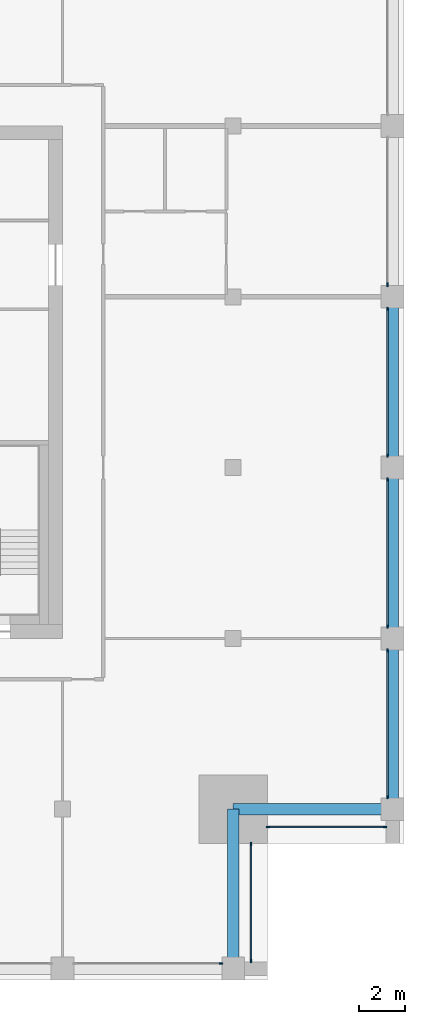
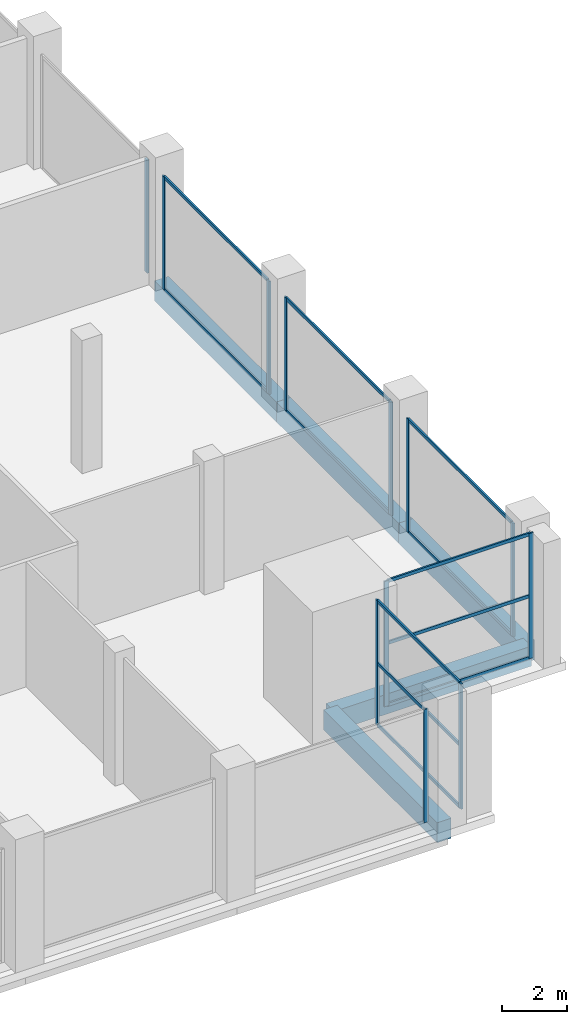
# One storey, part 4 of 15: 24 members, 5 beams, 7 elements without a shape of their own.
"""IFC4 building model written with IfcOpenShell, lengths in metres."""

from ifc_helpers import new_model, si_unit, direction, frame, origin, origin_2d, place, context, subcontext, project, spatial, rectangle, extrude, material, layer, layer_set, material_profile, profile_set, type_object, element, aggregate, save


model = new_model("IFC4")

# Units and contexts
model_context = context("Model", 3, precision=1e-05, world=origin(), true_north=direction((0.0, 1.0)))
body_context = subcontext(model_context, "Body", "Model", "MODEL_VIEW")
ifc_project = project(units=[si_unit("LENGTHUNIT", "METRE"), si_unit("AREAUNIT", "SQUARE_METRE"), si_unit("VOLUMEUNIT", "CUBIC_METRE"), si_unit("PLANEANGLEUNIT", "RADIAN"), si_unit("MASSUNIT", "GRAM", prefix="KILO")], contexts=[model_context])

# Site, building, storey
site_placement = place(None, origin())
site = spatial("IfcSite", under=ifc_project, at=site_placement, CompositionType="ELEMENT")
building_placement = place(site_placement, origin())
building = spatial("IfcBuilding", under=site, at=building_placement, Name="Tamorin Gate", CompositionType="ELEMENT")
storey_placement = place(building_placement, frame((0.0, 0.0, 287.199951171875)))
storey = spatial("IfcBuildingStorey", under=building, at=storey_placement, Name="L72", CompositionType="ELEMENT", Elevation=287.199951171875)

# Curtain wall, member
ifc_material_1 = material(Name="Aluminium mullions and transoms with clear glass", Category="aluminium")
ifc_layer = layer(ifc_material_1, 0.159912109375)
ifc_layer_set = layer_set([ifc_layer], Name="Curtain wall system CW2")
curtain_wall_type = type_object("IfcCurtainWallType", Name="Curtain wall system CW2", PredefinedType="NOTDEFINED", material=ifc_layer_set)
curtain_wall_1_placement = place(storey_placement, origin())
curtain_wall_1 = element("IfcCurtainWall", 1, at=curtain_wall_1_placement, inside=storey, type_object=curtain_wall_type, Name="Curtain wall", PredefinedType="NOTDEFINED")
ifc_material_2 = material(Name="Aluminium", Category="aluminium")
ifc_material_profile_1 = material_profile(ifc_material_2, rectangle(XDim=0.06005859375, YDim=0.159912109375, at=origin_2d()), Name="RECT 60x160")
ifc_profile_set_1 = profile_set([ifc_material_profile_1], Name="Aluminium")
member_type_1 = type_object("IfcMemberType", Name="Aluminium mullion 60x160", PredefinedType="MULLION", material=ifc_profile_set_1)
member_1_placement = place(storey_placement, frame((66.969970703125, 45.719970703125, 0.0), z_axis=(0.0, 0.0, 1.0), x_axis=(0.0, 1.0, 0.0)))
member_1 = element("IfcMember", 2, at=member_1_placement, type_object=member_type_1, Name="CW2 mullion 2", PredefinedType="MULLION", context=body_context, shape_type="SweptSolid", body=[
    extrude(rectangle(XDim=0.06005859375, YDim=0.159912109375, at=origin_2d()), origin(), (0.0, 0.0, 1.0), 4.25),
])
aggregate(curtain_wall_1, [member_1])

# Curtain wall, members
curtain_wall_2_placement = place(storey_placement, origin())
curtain_wall_2 = element("IfcCurtainWall", 3, at=curtain_wall_2_placement, inside=storey, type_object=curtain_wall_type, Name="Curtain wall", PredefinedType="NOTDEFINED")
member_2_placement = place(storey_placement, frame((68.280029296875, 45.830078125, 0.0), z_axis=(0.0, 0.0, 1.0), x_axis=(-1.0, 0.0, 0.0)))
member_2 = element("IfcMember", 4, at=member_2_placement, type_object=member_type_1, Name="CW2 mullion 1", PredefinedType="MULLION", context=body_context, shape_type="SweptSolid", body=[
    extrude(rectangle(XDim=0.06005859375, YDim=0.159912109375, at=origin_2d()), origin(), (0.0, 0.0, 1.0), 4.699951171875),
])
member_3_placement = place(storey_placement, frame((68.280029296875, 50.969970703125, 0.0), z_axis=(0.0, 0.0, 1.0), x_axis=(-1.0, 0.0, 0.0)))
member_3 = element("IfcMember", 5, at=member_3_placement, type_object=member_type_1, Name="CW2 mullion 2", PredefinedType="MULLION", context=body_context, shape_type="SweptSolid", body=[
    extrude(rectangle(XDim=0.06005859375, YDim=0.159912109375, at=origin_2d()), origin(), (0.0, 0.0, 1.0), 4.699951171875),
])

curtain_wall_3_placement = place(storey_placement, origin())
curtain_wall_3 = element("IfcCurtainWall", 6, at=curtain_wall_3_placement, inside=storey, type_object=curtain_wall_type, Name="Curtain wall", PredefinedType="NOTDEFINED")
member_4_placement = place(storey_placement, frame((69.030029296875, 51.719970703125, 0.0), z_axis=(0.0, 0.0, 1.0), x_axis=(0.0, 1.0, 0.0)))
member_4 = element("IfcMember", 7, at=member_4_placement, type_object=member_type_1, Name="CW2 mullion 1", PredefinedType="MULLION", context=body_context, shape_type="SweptSolid", body=[
    extrude(rectangle(XDim=0.06005859375, YDim=0.159912109375, at=origin_2d()), origin(), (0.0, 0.0, 1.0), 4.699951171875),
])
member_5_placement = place(storey_placement, frame((74.169921875, 51.719970703125, 0.0), z_axis=(0.0, 0.0, 1.0), x_axis=(0.0, 1.0, 0.0)))
member_5 = element("IfcMember", 8, at=member_5_placement, type_object=member_type_1, Name="CW2 mullion 2", PredefinedType="MULLION", context=body_context, shape_type="SweptSolid", body=[
    extrude(rectangle(XDim=0.06005859375, YDim=0.159912109375, at=origin_2d()), origin(), (0.0, 0.0, 1.0), 4.699951171875),
])

curtain_wall_4_placement = place(storey_placement, origin())
curtain_wall_4 = element("IfcCurtainWall", 9, at=curtain_wall_4_placement, inside=storey, type_object=curtain_wall_type, Name="Curtain wall", PredefinedType="NOTDEFINED")
member_6_placement = place(storey_placement, frame((74.280029296875, 53.030029296875, 0.0), z_axis=(0.0, 0.0, 1.0), x_axis=(-1.0, 0.0, 0.0)))
member_6 = element("IfcMember", 10, at=member_6_placement, type_object=member_type_1, Name="CW2 mullion 1", PredefinedType="MULLION", context=body_context, shape_type="SweptSolid", body=[
    extrude(rectangle(XDim=0.06005859375, YDim=0.159912109375, at=origin_2d()), origin(), (0.0, 0.0, 1.0), 4.25),
])
member_7_placement = place(storey_placement, frame((74.280029296875, 59.469970703125, 0.0), z_axis=(0.0, 0.0, 1.0), x_axis=(-1.0, 0.0, 0.0)))
member_7 = element("IfcMember", 11, at=member_7_placement, type_object=member_type_1, Name="CW2 mullion 2", PredefinedType="MULLION", context=body_context, shape_type="SweptSolid", body=[
    extrude(rectangle(XDim=0.06005859375, YDim=0.159912109375, at=origin_2d()), origin(), (0.0, 0.0, 1.0), 4.25),
])

curtain_wall_5_placement = place(storey_placement, origin())
curtain_wall_5 = element("IfcCurtainWall", 12, at=curtain_wall_5_placement, inside=storey, type_object=curtain_wall_type, Name="Curtain wall", PredefinedType="NOTDEFINED")
member_8_placement = place(storey_placement, frame((74.280029296875, 60.530029296875, 0.0), z_axis=(0.0, 0.0, 1.0), x_axis=(-1.0, 0.0, 0.0)))
member_8 = element("IfcMember", 13, at=member_8_placement, type_object=member_type_1, Name="CW2 mullion 1", PredefinedType="MULLION", context=body_context, shape_type="SweptSolid", body=[
    extrude(rectangle(XDim=0.06005859375, YDim=0.159912109375, at=origin_2d()), origin(), (0.0, 0.0, 1.0), 4.25),
])
member_9_placement = place(storey_placement, frame((74.280029296875, 66.969970703125, 0.0), z_axis=(0.0, 0.0, 1.0), x_axis=(-1.0, 0.0, 0.0)))
member_9 = element("IfcMember", 14, at=member_9_placement, type_object=member_type_1, Name="CW2 mullion 2", PredefinedType="MULLION", context=body_context, shape_type="SweptSolid", body=[
    extrude(rectangle(XDim=0.06005859375, YDim=0.159912109375, at=origin_2d()), origin(), (0.0, 0.0, 1.0), 4.25),
])

curtain_wall_6_placement = place(storey_placement, origin())
curtain_wall_6 = element("IfcCurtainWall", 15, at=curtain_wall_6_placement, inside=storey, type_object=curtain_wall_type, Name="Curtain wall", PredefinedType="NOTDEFINED")
member_10_placement = place(storey_placement, frame((74.280029296875, 68.030029296875, 0.0), z_axis=(0.0, 0.0, 1.0), x_axis=(-1.0, 0.0, 0.0)))
member_10 = element("IfcMember", 16, at=member_10_placement, type_object=member_type_1, Name="CW2 mullion 1", PredefinedType="MULLION", context=body_context, shape_type="SweptSolid", body=[
    extrude(rectangle(XDim=0.06005859375, YDim=0.159912109375, at=origin_2d()), origin(), (0.0, 0.0, 1.0), 4.25),
])
member_11_placement = place(storey_placement, frame((74.280029296875, 74.469970703125, 0.0), z_axis=(0.0, 0.0, 1.0), x_axis=(-1.0, 0.0, 0.0)))
member_11 = element("IfcMember", 17, at=member_11_placement, type_object=member_type_1, Name="CW2 mullion 2", PredefinedType="MULLION", context=body_context, shape_type="SweptSolid", body=[
    extrude(rectangle(XDim=0.06005859375, YDim=0.159912109375, at=origin_2d()), origin(), (0.0, 0.0, 1.0), 4.25),
])

# Curtain wall, member
curtain_wall_7_placement = place(storey_placement, origin())
curtain_wall_7 = element("IfcCurtainWall", 18, at=curtain_wall_7_placement, inside=storey, type_object=curtain_wall_type, Name="Curtain wall", PredefinedType="NOTDEFINED")
member_12_placement = place(storey_placement, frame((74.280029296875, 75.530029296875, 0.0), z_axis=(0.0, 0.0, 1.0), x_axis=(-1.0, 0.0, 0.0)))
member_12 = element("IfcMember", 19, at=member_12_placement, type_object=member_type_1, Name="CW2 mullion 1", PredefinedType="MULLION", context=body_context, shape_type="SweptSolid", body=[
    extrude(rectangle(XDim=0.06005859375, YDim=0.159912109375, at=origin_2d()), origin(), (0.0, 0.0, 1.0), 4.25),
])
aggregate(curtain_wall_7, [member_12])

# Member
ifc_material_profile_2 = material_profile(ifc_material_2, rectangle(XDim=0.06005859375, YDim=0.1201171875, at=origin_2d()), Name="RECT 60x120")
ifc_profile_set_2 = profile_set([ifc_material_profile_2], Name="Aluminium")
member_type_2 = type_object("IfcMemberType", Name="Aluminium transom 60x120", PredefinedType="USERDEFINED", material=ifc_profile_set_2)
member_13_placement = place(storey_placement, frame((68.280029296875, 45.860107421875, 0.030029296875), z_axis=(0.0, 1.0, 0.0), x_axis=(-1.0, 0.0, 0.0)))
member_13 = element("IfcMember", 20, at=member_13_placement, type_object=member_type_2, Name="CW2 transom 1.1", ObjectType="TRANSOM", PredefinedType="USERDEFINED", context=body_context, shape_type="SweptSolid", body=[
    extrude(rectangle(XDim=0.06005859375, YDim=0.1201171875, at=origin_2d()), origin(), (0.0, 0.0, 1.0), 5.079833984375),
])

member_14_placement = place(storey_placement, frame((68.280029296875, 45.860107421875, 2.35009765625), z_axis=(0.0, 1.0, 0.0), x_axis=(-1.0, 0.0, 0.0)))
member_14 = element("IfcMember", 21, at=member_14_placement, type_object=member_type_2, Name="CW2 transom 1.2", ObjectType="TRANSOM", PredefinedType="USERDEFINED", context=body_context, shape_type="SweptSolid", body=[
    extrude(rectangle(XDim=0.06005859375, YDim=0.1201171875, at=origin_2d()), origin(), (0.0, 0.0, 1.0), 5.079833984375),
])

member_15_placement = place(storey_placement, frame((68.280029296875, 45.860107421875, 4.670166015625), z_axis=(0.0, 1.0, 0.0), x_axis=(-1.0, 0.0, 0.0)))
member_15 = element("IfcMember", 22, at=member_15_placement, type_object=member_type_2, Name="CW2 transom 1.3", ObjectType="TRANSOM", PredefinedType="USERDEFINED", context=body_context, shape_type="SweptSolid", body=[
    extrude(rectangle(XDim=0.06005859375, YDim=0.1201171875, at=origin_2d()), origin(), (0.0, 0.0, 1.0), 5.079833984375),
])

aggregate(curtain_wall_2, [member_2, member_3, member_13, member_14, member_15])

member_16_placement = place(storey_placement, frame((69.06005859375, 51.719970703125, 0.030029296875), z_axis=(1.0, 0.0, 0.0), x_axis=(0.0, 1.0, 0.0)))
member_16 = element("IfcMember", 23, at=member_16_placement, type_object=member_type_2, Name="CW2 transom 1.1", ObjectType="TRANSOM", PredefinedType="USERDEFINED", context=body_context, shape_type="SweptSolid", body=[
    extrude(rectangle(XDim=0.06005859375, YDim=0.1201171875, at=origin_2d()), origin(), (0.0, 0.0, 1.0), 5.079833984375),
])

member_17_placement = place(storey_placement, frame((69.06005859375, 51.719970703125, 2.35009765625), z_axis=(1.0, 0.0, 0.0), x_axis=(0.0, 1.0, 0.0)))
member_17 = element("IfcMember", 24, at=member_17_placement, type_object=member_type_2, Name="CW2 transom 1.2", ObjectType="TRANSOM", PredefinedType="USERDEFINED", context=body_context, shape_type="SweptSolid", body=[
    extrude(rectangle(XDim=0.06005859375, YDim=0.1201171875, at=origin_2d()), origin(), (0.0, 0.0, 1.0), 5.079833984375),
])

member_18_placement = place(storey_placement, frame((69.06005859375, 51.719970703125, 4.670166015625), z_axis=(1.0, 0.0, 0.0), x_axis=(0.0, 1.0, 0.0)))
member_18 = element("IfcMember", 25, at=member_18_placement, type_object=member_type_2, Name="CW2 transom 1.3", ObjectType="TRANSOM", PredefinedType="USERDEFINED", context=body_context, shape_type="SweptSolid", body=[
    extrude(rectangle(XDim=0.06005859375, YDim=0.1201171875, at=origin_2d()), origin(), (0.0, 0.0, 1.0), 5.079833984375),
])

aggregate(curtain_wall_3, [member_4, member_5, member_16, member_17, member_18])

member_19_placement = place(storey_placement, frame((74.280029296875, 53.06005859375, 0.030029296875), z_axis=(0.0, 1.0, 0.0), x_axis=(-1.0, 0.0, 0.0)))
member_19 = element("IfcMember", 26, at=member_19_placement, type_object=member_type_2, Name="CW2 transom 1.1", ObjectType="TRANSOM", PredefinedType="USERDEFINED", context=body_context, shape_type="SweptSolid", body=[
    extrude(rectangle(XDim=0.06005859375, YDim=0.1201171875, at=origin_2d()), origin(), (0.0, 0.0, 1.0), 6.3798828125),
])

member_20_placement = place(storey_placement, frame((74.280029296875, 53.06005859375, 4.219970703125), z_axis=(0.0, 1.0, 0.0), x_axis=(-1.0, 0.0, 0.0)))
member_20 = element("IfcMember", 27, at=member_20_placement, type_object=member_type_2, Name="CW2 transom 1.2", ObjectType="TRANSOM", PredefinedType="USERDEFINED", context=body_context, shape_type="SweptSolid", body=[
    extrude(rectangle(XDim=0.06005859375, YDim=0.1201171875, at=origin_2d()), origin(), (0.0, 0.0, 1.0), 6.3798828125),
])

aggregate(curtain_wall_4, [member_6, member_7, member_19, member_20])

member_21_placement = place(storey_placement, frame((74.280029296875, 60.56005859375, 0.030029296875), z_axis=(0.0, 1.0, 0.0), x_axis=(-1.0, 0.0, 0.0)))
member_21 = element("IfcMember", 28, at=member_21_placement, type_object=member_type_2, Name="CW2 transom 1.1", ObjectType="TRANSOM", PredefinedType="USERDEFINED", context=body_context, shape_type="SweptSolid", body=[
    extrude(rectangle(XDim=0.06005859375, YDim=0.1201171875, at=origin_2d()), origin(), (0.0, 0.0, 1.0), 6.3798828125),
])

member_22_placement = place(storey_placement, frame((74.280029296875, 60.56005859375, 4.219970703125), z_axis=(0.0, 1.0, 0.0), x_axis=(-1.0, 0.0, 0.0)))
member_22 = element("IfcMember", 29, at=member_22_placement, type_object=member_type_2, Name="CW2 transom 1.2", ObjectType="TRANSOM", PredefinedType="USERDEFINED", context=body_context, shape_type="SweptSolid", body=[
    extrude(rectangle(XDim=0.06005859375, YDim=0.1201171875, at=origin_2d()), origin(), (0.0, 0.0, 1.0), 6.3798828125),
])

aggregate(curtain_wall_5, [member_8, member_9, member_21, member_22])

member_23_placement = place(storey_placement, frame((74.280029296875, 68.06005859375, 0.030029296875), z_axis=(0.0, 1.0, 0.0), x_axis=(-1.0, 0.0, 0.0)))
member_23 = element("IfcMember", 30, at=member_23_placement, type_object=member_type_2, Name="CW2 transom 1.1", ObjectType="TRANSOM", PredefinedType="USERDEFINED", context=body_context, shape_type="SweptSolid", body=[
    extrude(rectangle(XDim=0.06005859375, YDim=0.1201171875, at=origin_2d()), origin(), (0.0, 0.0, 1.0), 6.3798828125),
])

member_24_placement = place(storey_placement, frame((74.280029296875, 68.06005859375, 4.219970703125), z_axis=(0.0, 1.0, 0.0), x_axis=(-1.0, 0.0, 0.0)))
member_24 = element("IfcMember", 31, at=member_24_placement, type_object=member_type_2, Name="CW2 transom 1.2", ObjectType="TRANSOM", PredefinedType="USERDEFINED", context=body_context, shape_type="SweptSolid", body=[
    extrude(rectangle(XDim=0.06005859375, YDim=0.1201171875, at=origin_2d()), origin(), (0.0, 0.0, 1.0), 6.3798828125),
])

aggregate(curtain_wall_6, [member_10, member_11, member_23, member_24])

# Beams
ifc_material_3 = material(Name="Concrete C50/60", Category="concrete")
ifc_material_profile_3 = material_profile(ifc_material_3, rectangle(XDim=0.5, YDim=0.75, at=origin_2d()), Name="RC 500x750")
ifc_profile_set_3 = profile_set([ifc_material_profile_3], Name="Concrete C50/60")
beam_type = type_object("IfcBeamType", Name="RC spandrel 500x750 C50/60", PredefinedType="BEAM", material=ifc_profile_set_3)
for number, where, z_axis, x_axis, name in (
    (32, (74.5, 52.5, -0.375), (0.0, 1.0, 0.0), (-1.0, 0.0, 0.0), "Spandrel beam L72"),
    (33, (74.5, 60.0, -0.375), (0.0, 1.0, 0.0), (-1.0, 0.0, 0.0), "Spandrel beam L72"),
    (34, (74.5, 67.5, -0.375), (0.0, 1.0, 0.0), (-1.0, 0.0, 0.0), "Spandrel beam L72"),
):
    element("IfcBeam", number, at=place(storey_placement, frame(where, z_axis=z_axis, x_axis=x_axis)), inside=storey, type_object=beam_type, Name=name, PredefinedType="BEAM", context=body_context, shape_type="SweptSolid", body=[
        extrude(rectangle(XDim=0.5, YDim=0.75, at=origin_2d()), origin(), (0.0, 0.0, 1.0), 7.5),
    ])
for number, where, z_axis, x_axis, name in (
    (35, (67.5, 52.5, -0.375), (0.0, -1.0, 0.0), (1.0, 0.0, 0.0), "Corner tie beam L72"),
    (36, (67.5, 52.5, -0.375), (1.0, 0.0, 0.0), (0.0, 1.0, 0.0), "Corner tie beam L72"),
):
    element("IfcBeam", number, at=place(storey_placement, frame(where, z_axis=z_axis, x_axis=x_axis)), inside=storey, type_object=beam_type, Name=name, PredefinedType="BEAM", context=body_context, shape_type="SweptSolid", body=[
        extrude(rectangle(XDim=0.5, YDim=0.75, at=origin_2d()), origin(), (0.0, 0.0, 1.0), 7.0),
    ])

save(model, "model.ifc")
